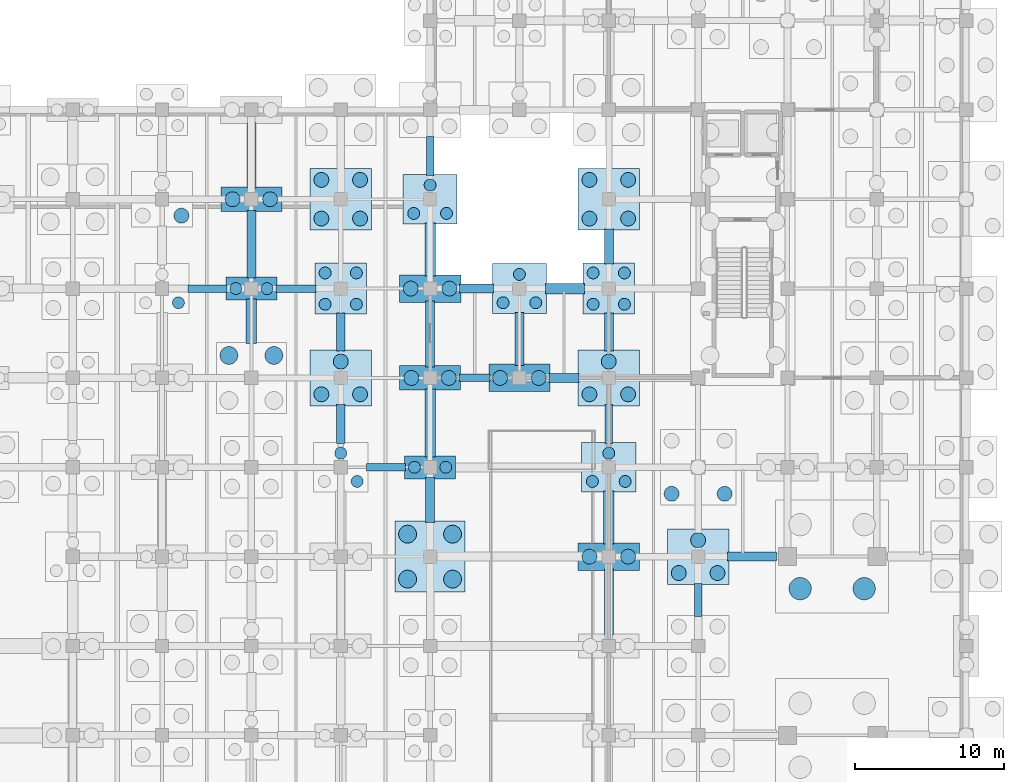
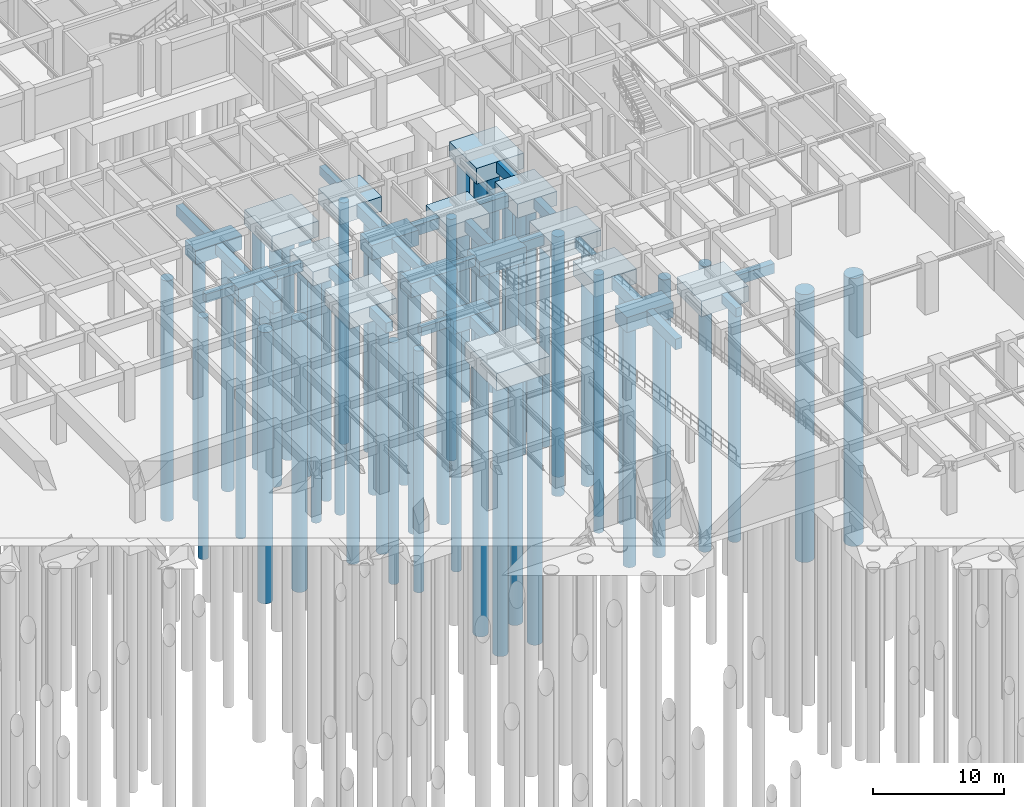
# One storey, part 20 of 54: 62 piles, 43 footings.
"""IFC4 building model written with IfcOpenShell, lengths in metres."""

import ifcopenshell
import ifcopenshell.guid

model = None  # the IFC model being written
_history = None  # IfcOwnerHistory: only IFC2X3 demands one
_inside = {}  # id of a spatial element -> (the spatial element, [elements in it])
_under = {}  # id of a project, library or spatial element -> (it, [spatial elements below it])
_declared = {}  # id of a project -> (the project, [libraries it declares])
_typed = {}  # id of a type object -> (the type object, [elements of that type])
_made_of = {}  # id of a material, layer set ... -> (it, [elements and type objects made of it])


def new_model(schema):
    """Start an empty IFC model of exactly this schema.

    Asked for "IFC4X3", IfcOpenShell would pick the latest addendum, in which some entities
    have other attributes; the version numbers below select the first issue.
    IFC2X3 requires an IfcOwnerHistory on every rooted entity: one is made here for all.
    """
    global model, _history
    if schema == "IFC4X3":
        model = ifcopenshell.file(schema_version=(4, 3, 0, 0))
    else:
        model = ifcopenshell.file(schema=schema)
    _inside.clear()
    _under.clear()
    _declared.clear()
    _typed.clear()
    _made_of.clear()
    _history = None
    if model.schema == "IFC2X3":
        org = make("IfcOrganization", Name="unknown")
        user = make(
            "IfcPersonAndOrganization",
            ThePerson=make("IfcPerson", FamilyName="unknown"),
            TheOrganization=org,
        )
        app = make(
            "IfcApplication",
            ApplicationDeveloper=org,
            Version="unknown",
            ApplicationFullName="unknown",
            ApplicationIdentifier="unknown",
        )
        _history = make(
            "IfcOwnerHistory",
            OwningUser=user,
            OwningApplication=app,
            ChangeAction="ADDED",
            CreationDate=0,
        )
    return model


def make(cls, **values):
    """One entity of the class cls with the attributes given. An attribute that is None is left unset."""
    return model.create_entity(
        cls, **{name: value for name, value in values.items() if value is not None}
    )


def rooted(cls, **values):
    """An entity with a GlobalId (a new one), such as an element, a storey or a relation."""
    return make(cls, GlobalId=ifcopenshell.guid.new(), OwnerHistory=_history, **values)


def si_unit(unit_type, name, prefix=None):
    """IfcSIUnit, for example si_unit("LENGTHUNIT", "METRE", prefix="MILLI")."""
    return make("IfcSIUnit", UnitType=unit_type, Prefix=prefix, Name=name)


def assignment(units):
    """IfcUnitAssignment: the units of a project."""
    return None if units is None else make("IfcUnitAssignment", Units=units)


def point(xyz):
    """IfcCartesianPoint."""
    return None if xyz is None else make("IfcCartesianPoint", Coordinates=xyz)


def direction(xyz):
    """IfcDirection."""
    return None if xyz is None else make("IfcDirection", DirectionRatios=xyz)


def frame(location, z_axis=None, x_axis=None):
    """IfcAxis2Placement3D, a coordinate frame: its origin and axes. An axis left out is left unset."""
    return make(
        "IfcAxis2Placement3D",
        Location=point(location),
        Axis=direction(z_axis),
        RefDirection=direction(x_axis),
    )


def frame_2d(location, x_axis=None):
    """IfcAxis2Placement2D, a coordinate frame in the plane: its origin and x axis."""
    return make(
        "IfcAxis2Placement2D", Location=point(location), RefDirection=direction(x_axis)
    )


def origin():
    """The frame at (0, 0, 0) with its axes left unset."""
    return frame((0.0, 0.0, 0.0))


def origin_2d():
    """The frame at (0, 0) in the plane with its x axis left unset."""
    return frame_2d((0.0, 0.0))


def place(relative_to, where):
    """IfcLocalPlacement: puts the frame where relative to a parent placement (None: the world)."""
    return make(
        "IfcLocalPlacement", PlacementRelTo=relative_to, RelativePlacement=where
    )


def context(
    kind, dimensions, precision=None, world=None, true_north=None, identifier=None
):
    """IfcGeometricRepresentationContext, for example the 3D "Model" context."""
    return make(
        "IfcGeometricRepresentationContext",
        ContextIdentifier=identifier,
        ContextType=kind,
        CoordinateSpaceDimension=dimensions,
        Precision=precision,
        WorldCoordinateSystem=world,
        TrueNorth=true_north,
    )


def subcontext(parent, identifier, kind, view, scale=None):
    """IfcGeometricRepresentationSubContext, for example "Body" below "Model"."""
    return make(
        "IfcGeometricRepresentationSubContext",
        ContextIdentifier=identifier,
        ContextType=kind,
        ParentContext=parent,
        TargetScale=scale,
        TargetView=view,
    )


def project(units=None, contexts=None):
    """IfcProject with its units and contexts."""
    return rooted(
        "IfcProject",
        Name="project",
        RepresentationContexts=contexts,
        UnitsInContext=assignment(units),
    )


def spatial(cls, under=None, at=None, **own):
    """A site, building, storey or space (cls), placed at a placement, below another one or the project."""
    s = rooted(cls, ObjectPlacement=at, **own)
    if under is not None:
        _under.setdefault(under.id(), (under, []))[1].append(s)
    return s


def profile(cls, at=None, kind="AREA", **sizes):
    """A parametric profile (cls). Its sizes go by their IFC names, for example OverallWidth=200.0."""
    return make(cls, ProfileType=kind, Position=at, **sizes)


def rectangle(**sizes):
    """IfcRectangleProfileDef."""
    return profile("IfcRectangleProfileDef", **sizes)


def circle(**sizes):
    """IfcCircleProfileDef."""
    return profile("IfcCircleProfileDef", **sizes)


def extrude(swept, where, along, depth):
    """IfcExtrudedAreaSolid: the profile swept, set in the frame where, extruded along a direction by depth."""
    return make(
        "IfcExtrudedAreaSolid",
        SweptArea=swept,
        Position=where,
        ExtrudedDirection=direction(along),
        Depth=depth,
    )


def shape(context_of_items, identifier, shape_type, items):
    """IfcShapeRepresentation: the items that make up one representation, for example the "Body"."""
    return make(
        "IfcShapeRepresentation",
        ContextOfItems=context_of_items,
        RepresentationIdentifier=identifier,
        RepresentationType=shape_type,
        Items=items,
    )


def material(Name=None, Category=None):
    """IfcMaterial."""
    return make("IfcMaterial", Name=Name, Category=Category)


def material_profile(
    of_material, cross_section, Name=None, Category=None, Priority=None
):
    """IfcMaterialProfile: a cross section and its material."""
    return make(
        "IfcMaterialProfile",
        Name=Name,
        Material=of_material,
        Profile=cross_section,
        Priority=Priority,
        Category=Category,
    )


def profile_set(profiles, Name=None, composite=None):
    """IfcMaterialProfileSet."""
    return make(
        "IfcMaterialProfileSet",
        Name=Name,
        MaterialProfiles=profiles,
        CompositeProfile=composite,
    )


def made_of(thing, what):
    """Note that an element or type object is made of a material, layer set ...; save() writes the relation."""
    if what is not None:
        _made_of.setdefault(what.id(), (what, []))[1].append(thing)
    return thing


def type_object(cls, material=None, **own):
    """A type object (cls), such as IfcWallType, which elements share."""
    return made_of(rooted(cls, **own), material)


def element(
    cls,
    number,
    at=None,
    inside=None,
    cuts=None,
    type_object=None,
    material=None,
    context=None,
    identifier="Body",
    shape_type=None,
    held_by="IfcProductDefinitionShape",
    body=None,
    shapes=None,
    **own,
):
    """One element of the class cls, such as IfcWall. Its Tag is "e" and its number.

    at: its placement. inside: the storey or other place that contains it. cuts: it is an
    opening in that element (IfcRelVoidsElement). A single representation is given by context,
    identifier, shape_type and body (its items); several are given by shapes. held_by: the class
    of the entity that holds the representations. save() writes the other relations.
    """
    e = rooted(cls, Tag="e%d" % number, ObjectPlacement=at, **own)
    if body is not None:
        shapes = [shape(context, identifier, shape_type, body)]
    if shapes is not None:
        e.Representation = make(held_by, Representations=shapes)
    if inside is not None:
        _inside.setdefault(inside.id(), (inside, []))[1].append(e)
    if cuts is not None:
        rooted(
            "IfcRelVoidsElement", RelatingBuildingElement=cuts, RelatedOpeningElement=e
        )
    if type_object is not None:
        _typed.setdefault(type_object.id(), (type_object, []))[1].append(e)
    return made_of(e, material)


def aggregate(whole, parts):
    """IfcRelAggregates: a whole, such as a stair, and the parts it consists of."""
    return rooted("IfcRelAggregates", RelatingObject=whole, RelatedObjects=parts)


def save(model, path):
    """Write the relations noted so far, then the file.

    IfcRelAggregates (storeys below a building ...), IfcRelContainedInSpatialStructure (elements
    in a storey), IfcRelDefinesByType, IfcRelAssociatesMaterial and IfcRelDeclares: one each for
    every whole, place, type object, material and project.
    """
    for whole, parts in _under.values():
        aggregate(whole, parts)
    for where, things in _inside.values():
        rooted(
            "IfcRelContainedInSpatialStructure",
            RelatedElements=things,
            RelatingStructure=where,
        )
    for kind, things in _typed.values():
        rooted("IfcRelDefinesByType", RelatedObjects=things, RelatingType=kind)
    for what, things in _made_of.values():
        rooted("IfcRelAssociatesMaterial", RelatedObjects=things, RelatingMaterial=what)
    for by, libraries in _declared.values():
        rooted("IfcRelDeclares", RelatingContext=by, RelatedDefinitions=libraries)
    model.write(path)


model = new_model("IFC4")

# Units and contexts
model_context = context("Model", 3, precision=1e-05, world=origin(), true_north=direction((0.0, 1.0)))
body_context = subcontext(model_context, "Body", "Model", "MODEL_VIEW")
ifc_project = project(units=[si_unit("LENGTHUNIT", "METRE"), si_unit("AREAUNIT", "SQUARE_METRE"), si_unit("VOLUMEUNIT", "CUBIC_METRE"), si_unit("PLANEANGLEUNIT", "RADIAN"), si_unit("MASSUNIT", "GRAM", prefix="KILO"), si_unit("THERMODYNAMICTEMPERATUREUNIT", "KELVIN"), si_unit("POWERUNIT", "WATT")], contexts=[model_context])

# Site, building, storey
site_placement = place(None, origin())
site = spatial("IfcSite", under=ifc_project, at=site_placement, CompositionType="ELEMENT")
building_placement = place(site_placement, origin())
building = spatial("IfcBuilding", under=site, at=building_placement, Name="Phaisarnlok Congress Hotel", CompositionType="ELEMENT")
storey_placement = place(building_placement, frame((0.0, 0.0, -4.800048828125)))
storey = spatial("IfcBuildingStorey", under=building, at=storey_placement, Name="B01", CompositionType="ELEMENT", Elevation=-4.800048828125)

# Footings
ifc_material_1 = material(Name="Concrete C40/50", Category="concrete")
footing_type_1 = type_object("IfcFootingType", Name="CAP-2P-A", PredefinedType="PILE_CAP", material=ifc_material_1)
for number, where, z_axis, x_axis, name in (
    (1, (132.0, 84.0, -1.69970703125), (0.0, 0.0, 1.0), (1.0, 0.0, 0.0), "Pile cap PC-01 at (132,84)"),
    (2, (144.0, 72.0, -1.69970703125), (0.0, 0.0, 1.0), (1.0, 0.0, 0.0), "Pile cap PC-01 at (144,72)"),
):
    element("IfcFooting", number, at=place(storey_placement, frame(where, z_axis=z_axis, x_axis=x_axis)), inside=storey, type_object=footing_type_1, Name=name, PredefinedType="PILE_CAP", context=body_context, shape_type="SweptSolid", body=[
        extrude(rectangle(XDim=3.43994140625, YDim=1.5400390625, at=origin_2d()), origin(), (0.0, 0.0, 1.0), 1.199951171875),
    ])
footing_type_2 = type_object("IfcFootingType", Name="CAP-2P-B", PredefinedType="PILE_CAP", material=ifc_material_1)
for number, where, z_axis, x_axis, name in (
    (3, (132.0, 90.0, -1.7998046875), (0.0, 0.0, 1.0), (1.0, 0.0, 0.0), "Pile cap PC-02 at (132,90)"),
    (4, (144.0, 78.0, -1.7998046875), (0.0, 0.0, 1.0), (1.0, 0.0, 0.0), "Pile cap PC-02 at (144,78)"),
):
    element("IfcFooting", number, at=place(storey_placement, frame(where, z_axis=z_axis, x_axis=x_axis)), inside=storey, type_object=footing_type_2, Name=name, PredefinedType="PILE_CAP", context=body_context, shape_type="SweptSolid", body=[
        extrude(rectangle(XDim=4.080078125, YDim=1.639892578125, at=origin_2d()), origin(), (0.0, 0.0, 1.0), 1.300048828125),
    ])
footing_type_3 = type_object("IfcFootingType", Name="CAP-2P-C", PredefinedType="PILE_CAP", material=ifc_material_1)
for number, where, z_axis, x_axis, name in (
    (5, (144.0, 84.0, -1.89990234375), (0.0, 0.0, 1.0), (1.0, 0.0, 0.0), "Pile cap PC-03 at (144,84)"),
    (6, (150.0, 78.0, -1.89990234375), (0.0, 0.0, 1.0), (1.0, 0.0, 0.0), "Pile cap PC-03 at (150,78)"),
    (7, (156.0, 66.0, -1.89990234375), (0.0, 0.0, 1.0), (1.0, 0.0, 0.0), "Pile cap PC-03 at (156,66)"),
):
    element("IfcFooting", number, at=place(storey_placement, frame(where, z_axis=z_axis, x_axis=x_axis)), inside=storey, type_object=footing_type_3, Name=name, PredefinedType="PILE_CAP", context=body_context, shape_type="SweptSolid", body=[
        extrude(rectangle(XDim=4.1201171875, YDim=1.840087890625, at=origin_2d()), origin(), (0.0, 0.0, 1.0), 1.39990234375),
    ])
footing_type_4 = type_object("IfcFootingType", Name="CAP-3P-A", PredefinedType="PILE_CAP", material=ifc_material_1)
for number, where, z_axis, x_axis, name in (
    (8, (144.0, 90.0, -1.85009765625), (0.0, 0.0, 1.0), (1.0, 0.0, 0.0), "Pile cap PC-04 at (144,90)"),
    (9, (150.0, 84.0, -1.85009765625), (0.0, 0.0, 1.0), (1.0, 0.0, 0.0), "Pile cap PC-04 at (150,84)"),
    (10, (156.0, 72.0, -1.85009765625), (0.0, 0.0, 1.0), (1.0, 0.0, 0.0), "Pile cap PC-04 at (156,72)"),
):
    element("IfcFooting", number, at=place(storey_placement, frame(where, z_axis=z_axis, x_axis=x_axis)), inside=storey, type_object=footing_type_4, Name=name, PredefinedType="PILE_CAP", context=body_context, shape_type="SweptSolid", body=[
        extrude(rectangle(XDim=3.639892578125, YDim=3.340087890625, at=origin_2d()), origin(), (0.0, 0.0, 1.0), 1.35009765625),
    ])
footing_type_5 = type_object("IfcFootingType", Name="CAP-3P-B", PredefinedType="PILE_CAP", material=ifc_material_1)
for number, where, z_axis, x_axis, name in (
    (11, (138.0, 78.0, -1.94970703125), (0.0, 0.0, 1.0), (1.0, 0.0, 0.0), "Pile cap PC-05 at (138,78)"),
    (12, (156.0, 78.0, -1.94970703125), (0.0, 0.0, 1.0), (1.0, 0.0, 0.0), "Pile cap PC-05 at (156,78)"),
    (13, (162.0, 66.0, -1.94970703125), (0.0, 0.0, 1.0), (1.0, 0.0, 0.0), "Pile cap PC-05 at (162,66)"),
):
    element("IfcFooting", number, at=place(storey_placement, frame(where, z_axis=z_axis, x_axis=x_axis)), inside=storey, type_object=footing_type_5, Name=name, PredefinedType="PILE_CAP", context=body_context, shape_type="SweptSolid", body=[
        extrude(rectangle(XDim=4.1201171875, YDim=3.739990234375, at=origin_2d()), origin(), (0.0, 0.0, 1.0), 1.449951171875),
    ])
footing_type_6 = type_object("IfcFootingType", Name="CAP-4P-A", PredefinedType="PILE_CAP", material=ifc_material_1)
for number, where, z_axis, x_axis, name in (
    (14, (138.0, 84.0, -1.7998046875), (0.0, 0.0, 1.0), (1.0, 0.0, 0.0), "Pile cap PC-06 at (138,84)"),
    (15, (156.0, 84.0, -1.7998046875), (0.0, 0.0, 1.0), (1.0, 0.0, 0.0), "Pile cap PC-06 at (156,84)"),
):
    element("IfcFooting", number, at=place(storey_placement, frame(where, z_axis=z_axis, x_axis=x_axis)), inside=storey, type_object=footing_type_6, Name=name, PredefinedType="PILE_CAP", context=body_context, shape_type="SweptSolid", body=[
        extrude(rectangle(XDim=3.43994140625, YDim=3.43994140625, at=origin_2d()), origin(), (0.0, 0.0, 1.0), 1.300048828125),
    ])
footing_type_7 = type_object("IfcFootingType", Name="CAP-4P-B", PredefinedType="PILE_CAP", material=ifc_material_1)
for number, where, z_axis, x_axis, name in (
    (16, (138.0, 90.0, -1.94970703125), (0.0, 0.0, 1.0), (1.0, 0.0, 0.0), "Pile cap PC-07 at (138,90)"),
    (17, (156.0, 90.0, -1.94970703125), (0.0, 0.0, 1.0), (1.0, 0.0, 0.0), "Pile cap PC-07 at (156,90)"),
):
    element("IfcFooting", number, at=place(storey_placement, frame(where, z_axis=z_axis, x_axis=x_axis)), inside=storey, type_object=footing_type_7, Name=name, PredefinedType="PILE_CAP", context=body_context, shape_type="SweptSolid", body=[
        extrude(rectangle(XDim=4.1201171875, YDim=4.1201171875, at=origin_2d()), origin(), (0.0, 0.0, 1.0), 1.449951171875),
    ])
footing_type_8 = type_object("IfcFootingType", Name="CAP-4P-C", PredefinedType="PILE_CAP", material=ifc_material_1)
footing_1_placement = place(storey_placement, frame((144.0, 66.0, -2.10009765625), z_axis=(0.0, 0.0, 1.0), x_axis=(1.0, 0.0, 0.0)))
element("IfcFooting", 18, at=footing_1_placement, inside=storey, type_object=footing_type_8, Name="Pile cap PC-08 at (144,66)", PredefinedType="PILE_CAP", context=body_context, shape_type="SweptSolid", body=[
    extrude(rectangle(XDim=4.719970703125, YDim=4.760009765625, at=origin_2d()), origin(), (0.0, 0.0, 1.0), 1.60009765625),
])
ifc_material_profile_1 = material_profile(ifc_material_1, rectangle(XDim=0.5, YDim=0.800048828125, at=origin_2d()), Name="FB-500x800")
ifc_profile_set_1 = profile_set([ifc_material_profile_1], Name="Concrete C40/50")
footing_type_9 = type_object("IfcFootingType", Name="FB-500x800", PredefinedType="FOOTING_BEAM", material=ifc_profile_set_1)
footing_2_placement = place(storey_placement, frame((127.7451171875, 84.0, -0.89990234375), z_axis=(1.0, 0.0, 0.0), x_axis=(0.0, 1.0, 0.0)))
element("IfcFooting", 19, at=footing_2_placement, inside=storey, type_object=footing_type_9, Name="Ground tie beam FB-01", PredefinedType="FOOTING_BEAM", context=body_context, shape_type="SweptSolid", body=[
    extrude(rectangle(XDim=0.5, YDim=0.800048828125, at=origin_2d()), origin(), (0.0, 0.0, 1.0), 2.60986328125),
])
footing_3_placement = place(storey_placement, frame((133.64501953125, 84.0, -0.89990234375), z_axis=(1.0, 0.0, 0.0), x_axis=(0.0, 1.0, 0.0)))
element("IfcFooting", 20, at=footing_3_placement, inside=storey, type_object=footing_type_9, Name="Ground tie beam FB-01", PredefinedType="FOOTING_BEAM", context=body_context, shape_type="SweptSolid", body=[
    extrude(rectangle(XDim=0.5, YDim=0.800048828125, at=origin_2d()), origin(), (0.0, 0.0, 1.0), 2.7099609375),
])
footing_4_placement = place(storey_placement, frame((139.7451171875, 72.0, -0.89990234375), z_axis=(1.0, 0.0, 0.0), x_axis=(0.0, 1.0, 0.0)))
element("IfcFooting", 21, at=footing_4_placement, inside=storey, type_object=footing_type_9, Name="Ground tie beam FB-01", PredefinedType="FOOTING_BEAM", context=body_context, shape_type="SweptSolid", body=[
    extrude(rectangle(XDim=0.5, YDim=0.800048828125, at=origin_2d()), origin(), (0.0, 0.0, 1.0), 2.60986328125),
])
footing_5_placement = place(storey_placement, frame((145.965087890625, 78.0, -0.89990234375), z_axis=(1.0, 0.0, 0.0), x_axis=(0.0, 1.0, 0.0)))
element("IfcFooting", 22, at=footing_5_placement, inside=storey, type_object=footing_type_9, Name="Ground tie beam FB-01", PredefinedType="FOOTING_BEAM", context=body_context, shape_type="SweptSolid", body=[
    extrude(rectangle(XDim=0.5, YDim=0.800048828125, at=origin_2d()), origin(), (0.0, 0.0, 1.0), 2.0498046875),
])
for number, where, z_axis, x_axis, name in (
    (23, (144.0, 91.594970703125, -0.89990234375), (0.0, 1.0, 0.0), (-1.0, 0.0, 0.0), "Ground tie beam FB-01"),
    (24, (156.0, 73.594970703125, -0.89990234375), (0.0, 1.0, 0.0), (-1.0, 0.0, 0.0), "Ground tie beam FB-01"),
):
    element("IfcFooting", number, at=place(storey_placement, frame(where, z_axis=z_axis, x_axis=x_axis)), inside=storey, type_object=footing_type_9, Name=name, PredefinedType="FOOTING_BEAM", context=body_context, shape_type="SweptSolid", body=[
        extrude(rectangle(XDim=0.5, YDim=0.800048828125, at=origin_2d()), origin(), (0.0, 0.0, 1.0), 2.610107421875),
    ])
footing_6_placement = place(storey_placement, frame((162.0, 61.985107421875, -0.89990234375), z_axis=(0.0, 1.0, 0.0), x_axis=(-1.0, 0.0, 0.0)))
element("IfcFooting", 25, at=footing_6_placement, inside=storey, type_object=footing_type_9, Name="Ground tie beam FB-01", PredefinedType="FOOTING_BEAM", context=body_context, shape_type="SweptSolid", body=[
    extrude(rectangle(XDim=0.5, YDim=0.800048828125, at=origin_2d()), origin(), (0.0, 0.0, 1.0), 2.219970703125),
])
ifc_material_profile_2 = material_profile(ifc_material_1, rectangle(XDim=0.60009765625, YDim=1.0, at=origin_2d()), Name="FB-600x1000")
ifc_profile_set_2 = profile_set([ifc_material_profile_2], Name="Concrete C40/50")
footing_type_10 = type_object("IfcFootingType", Name="FB-600x1000", PredefinedType="FOOTING_BEAM", material=ifc_profile_set_2)
footing_7_placement = place(storey_placement, frame((132.0, 90.7451171875, -1.0), z_axis=(0.0, 1.0, 0.0), x_axis=(-1.0, 0.0, 0.0)))
element("IfcFooting", 26, at=footing_7_placement, inside=storey, type_object=footing_type_10, Name="Ground tie beam FB-03", PredefinedType="FOOTING_BEAM", context=body_context, shape_type="SweptSolid", body=[
    extrude(rectangle(XDim=0.60009765625, YDim=1.0, at=origin_2d()), origin(), (0.0, 0.0, 1.0), 4.409912109375),
])
footing_8_placement = place(storey_placement, frame((138.0, 79.794921875, -1.0), z_axis=(0.0, 1.0, 0.0), x_axis=(-1.0, 0.0, 0.0)))
element("IfcFooting", 27, at=footing_8_placement, inside=storey, type_object=footing_type_10, Name="Ground tie beam FB-03", PredefinedType="FOOTING_BEAM", context=body_context, shape_type="SweptSolid", body=[
    extrude(rectangle(XDim=0.60009765625, YDim=1.0, at=origin_2d()), origin(), (0.0, 0.0, 1.0), 2.56005859375),
])
footing_9_placement = place(storey_placement, frame((144.0, 68.304931640625, -1.0), z_axis=(0.0, 1.0, 0.0), x_axis=(-1.0, 0.0, 0.0)))
element("IfcFooting", 28, at=footing_9_placement, inside=storey, type_object=footing_type_10, Name="Ground tie beam FB-03", PredefinedType="FOOTING_BEAM", context=body_context, shape_type="SweptSolid", body=[
    extrude(rectangle(XDim=0.60009765625, YDim=1.0, at=origin_2d()), origin(), (0.0, 0.0, 1.0), 3.0),
])
footing_10_placement = place(storey_placement, frame((145.985107421875, 84.0, -1.0), z_axis=(1.0, 0.0, 0.0), x_axis=(0.0, 1.0, 0.0)))
element("IfcFooting", 29, at=footing_10_placement, inside=storey, type_object=footing_type_10, Name="Ground tie beam FB-03", PredefinedType="FOOTING_BEAM", context=body_context, shape_type="SweptSolid", body=[
    extrude(rectangle(XDim=0.60009765625, YDim=1.0, at=origin_2d()), origin(), (0.0, 0.0, 1.0), 2.269775390625),
])
footing_11_placement = place(storey_placement, frame((150.0, 78.844970703125, -1.0), z_axis=(0.0, 1.0, 0.0), x_axis=(-1.0, 0.0, 0.0)))
element("IfcFooting", 30, at=footing_11_placement, inside=storey, type_object=footing_type_10, Name="Ground tie beam FB-03", PredefinedType="FOOTING_BEAM", context=body_context, shape_type="SweptSolid", body=[
    extrude(rectangle(XDim=0.60009765625, YDim=1.0, at=origin_2d()), origin(), (0.0, 0.0, 1.0), 3.56005859375),
])
footing_12_placement = place(storey_placement, frame((156.0, 60.7451171875, -1.0), z_axis=(0.0, 1.0, 0.0), x_axis=(-1.0, 0.0, 0.0)))
element("IfcFooting", 31, at=footing_12_placement, inside=storey, type_object=footing_type_10, Name="Ground tie beam FB-03", PredefinedType="FOOTING_BEAM", context=body_context, shape_type="SweptSolid", body=[
    extrude(rectangle(XDim=0.60009765625, YDim=1.0, at=origin_2d()), origin(), (0.0, 0.0, 1.0), 4.409912109375),
])
footing_13_placement = place(storey_placement, frame((156.0, 85.64501953125, -1.0), z_axis=(0.0, 1.0, 0.0), x_axis=(-1.0, 0.0, 0.0)))
element("IfcFooting", 32, at=footing_13_placement, inside=storey, type_object=footing_type_10, Name="Ground tie beam FB-03", PredefinedType="FOOTING_BEAM", context=body_context, shape_type="SweptSolid", body=[
    extrude(rectangle(XDim=0.60009765625, YDim=1.0, at=origin_2d()), origin(), (0.0, 0.0, 1.0), 2.369873046875),
])
ifc_material_profile_3 = material_profile(ifc_material_1, rectangle(XDim=0.60009765625, YDim=0.89990234375, at=origin_2d()), Name="FB-600x900")
ifc_profile_set_3 = profile_set([ifc_material_profile_3], Name="Concrete C40/50")
footing_type_11 = type_object("IfcFootingType", Name="FB-600x900", PredefinedType="FOOTING_BEAM", material=ifc_profile_set_3)
footing_14_placement = place(storey_placement, frame((132.0, 84.695068359375, -0.949951171875), z_axis=(0.0, 1.0, 0.0), x_axis=(-1.0, 0.0, 0.0)))
element("IfcFooting", 33, at=footing_14_placement, inside=storey, type_object=footing_type_11, Name="Ground tie beam FB-02", PredefinedType="FOOTING_BEAM", context=body_context, shape_type="SweptSolid", body=[
    extrude(rectangle(XDim=0.60009765625, YDim=0.89990234375, at=origin_2d()), origin(), (0.0, 0.0, 1.0), 4.559814453125),
])
footing_15_placement = place(storey_placement, frame((138.0, 73.594970703125, -0.949951171875), z_axis=(0.0, 1.0, 0.0), x_axis=(-1.0, 0.0, 0.0)))
element("IfcFooting", 34, at=footing_15_placement, inside=storey, type_object=footing_type_11, Name="Ground tie beam FB-02", PredefinedType="FOOTING_BEAM", context=body_context, shape_type="SweptSolid", body=[
    extrude(rectangle(XDim=0.60009765625, YDim=0.89990234375, at=origin_2d()), origin(), (0.0, 0.0, 1.0), 2.610107421875),
])
footing_16_placement = place(storey_placement, frame((144.0, 78.7451171875, -0.949951171875), z_axis=(0.0, 1.0, 0.0), x_axis=(-1.0, 0.0, 0.0)))
element("IfcFooting", 35, at=footing_16_placement, inside=storey, type_object=footing_type_11, Name="Ground tie beam FB-02", PredefinedType="FOOTING_BEAM", context=body_context, shape_type="SweptSolid", body=[
    extrude(rectangle(XDim=0.60009765625, YDim=0.89990234375, at=origin_2d()), origin(), (0.0, 0.0, 1.0), 4.409912109375),
])
footing_17_placement = place(storey_placement, frame((151.985107421875, 78.0, -0.949951171875), z_axis=(1.0, 0.0, 0.0), x_axis=(0.0, 1.0, 0.0)))
element("IfcFooting", 36, at=footing_17_placement, inside=storey, type_object=footing_type_11, Name="Ground tie beam FB-02", PredefinedType="FOOTING_BEAM", context=body_context, shape_type="SweptSolid", body=[
    extrude(rectangle(XDim=0.60009765625, YDim=0.89990234375, at=origin_2d()), origin(), (0.0, 0.0, 1.0), 2.02978515625),
])
footing_18_placement = place(storey_placement, frame((156.0, 79.794921875, -0.949951171875), z_axis=(0.0, 1.0, 0.0), x_axis=(-1.0, 0.0, 0.0)))
element("IfcFooting", 37, at=footing_18_placement, inside=storey, type_object=footing_type_11, Name="Ground tie beam FB-02", PredefinedType="FOOTING_BEAM", context=body_context, shape_type="SweptSolid", body=[
    extrude(rectangle(XDim=0.60009765625, YDim=0.89990234375, at=origin_2d()), origin(), (0.0, 0.0, 1.0), 2.56005859375),
])
footing_19_placement = place(storey_placement, frame((163.985107421875, 66.0, -0.949951171875), z_axis=(1.0, 0.0, 0.0), x_axis=(0.0, 1.0, 0.0)))
element("IfcFooting", 38, at=footing_19_placement, inside=storey, type_object=footing_type_11, Name="Ground tie beam FB-02", PredefinedType="FOOTING_BEAM", context=body_context, shape_type="SweptSolid", body=[
    extrude(rectangle(XDim=0.60009765625, YDim=0.89990234375, at=origin_2d()), origin(), (0.0, 0.0, 1.0), 3.289794921875),
])
ifc_material_profile_4 = material_profile(ifc_material_1, rectangle(XDim=0.699951171875, YDim=1.10009765625, at=origin_2d()), Name="FB-700x1100")
ifc_profile_set_4 = profile_set([ifc_material_profile_4], Name="Concrete C40/50")
footing_type_12 = type_object("IfcFootingType", Name="FB-700x1100", PredefinedType="FOOTING_BEAM", material=ifc_profile_set_4)
footing_20_placement = place(storey_placement, frame((132.0, 80.304931640625, -1.050048828125), z_axis=(0.0, 1.0, 0.0), x_axis=(-1.0, 0.0, 0.0)))
element("IfcFooting", 39, at=footing_20_placement, inside=storey, type_object=footing_type_12, Name="Ground tie beam FB-04", PredefinedType="FOOTING_BEAM", context=body_context, shape_type="SweptSolid", body=[
    extrude(rectangle(XDim=0.699951171875, YDim=1.10009765625, at=origin_2d()), origin(), (0.0, 0.0, 1.0), 3.0),
])
footing_21_placement = place(storey_placement, frame((144.0, 72.695068359375, -1.050048828125), z_axis=(0.0, 1.0, 0.0), x_axis=(-1.0, 0.0, 0.0)))
element("IfcFooting", 40, at=footing_21_placement, inside=storey, type_object=footing_type_12, Name="Ground tie beam FB-04", PredefinedType="FOOTING_BEAM", context=body_context, shape_type="SweptSolid", body=[
    extrude(rectangle(XDim=0.699951171875, YDim=1.10009765625, at=origin_2d()), origin(), (0.0, 0.0, 1.0), 4.559814453125),
])
footing_22_placement = place(storey_placement, frame((144.0, 84.844970703125, -1.050048828125), z_axis=(0.0, 1.0, 0.0), x_axis=(-1.0, 0.0, 0.0)))
element("IfcFooting", 41, at=footing_22_placement, inside=storey, type_object=footing_type_12, Name="Ground tie beam FB-04", PredefinedType="FOOTING_BEAM", context=body_context, shape_type="SweptSolid", body=[
    extrude(rectangle(XDim=0.699951171875, YDim=1.10009765625, at=origin_2d()), origin(), (0.0, 0.0, 1.0), 3.56005859375),
])
footing_23_placement = place(storey_placement, frame((151.7451171875, 84.0, -1.050048828125), z_axis=(1.0, 0.0, 0.0), x_axis=(0.0, 1.0, 0.0)))
element("IfcFooting", 42, at=footing_23_placement, inside=storey, type_object=footing_type_12, Name="Ground tie beam FB-04", PredefinedType="FOOTING_BEAM", context=body_context, shape_type="SweptSolid", body=[
    extrude(rectangle(XDim=0.699951171875, YDim=1.10009765625, at=origin_2d()), origin(), (0.0, 0.0, 1.0), 2.60986328125),
])
footing_24_placement = place(storey_placement, frame((156.0, 66.844970703125, -1.050048828125), z_axis=(0.0, 1.0, 0.0), x_axis=(-1.0, 0.0, 0.0)))
element("IfcFooting", 43, at=footing_24_placement, inside=storey, type_object=footing_type_12, Name="Ground tie beam FB-04", PredefinedType="FOOTING_BEAM", context=body_context, shape_type="SweptSolid", body=[
    extrude(rectangle(XDim=0.699951171875, YDim=1.10009765625, at=origin_2d()), origin(), (0.0, 0.0, 1.0), 3.56005859375),
])

# Piles
ifc_material_2 = material(Name="Concrete C35/45", Category="concrete")
ifc_material_profile_5 = material_profile(ifc_material_2, circle(Radius=0.5, at=origin_2d()), Name="BORED PILE D1000")
ifc_profile_set_5 = profile_set([ifc_material_profile_5], Name="Concrete C35/45")
pile_type_1 = type_object("IfcPileType", Name="PILE-D1000", PredefinedType="BORED", material=ifc_profile_set_5)
pile_1_placement = place(storey_placement, frame((127.300048828125, 88.89990234375, -1.849853515625), z_axis=(0.0, 0.0, -1.0), x_axis=(1.0, 0.0, 0.0)))
element("IfcPile", 44, at=pile_1_placement, inside=storey, type_object=pile_type_1, Name="Bored pile PL-02 (FTG-B01-126-090-2)", PredefinedType="BORED", context=body_context, shape_type="SweptSolid", body=[
    extrude(circle(Radius=0.5, at=origin_2d()), origin(), (0.0, 0.0, 1.0), 22.35009765625),
])
for number, where, z_axis, x_axis, name in (
    (45, (130.739990234375, 90.0, -1.699951171875), (0.0, 0.0, -1.0), (1.0, 0.0, 0.0), "Bored pile PL-02 (FTG-B01-132-090-1)"),
    (46, (133.260009765625, 90.0, -1.699951171875), (0.0, 0.0, -1.0), (1.0, 0.0, 0.0), "Bored pile PL-02 (FTG-B01-132-090-2)"),
):
    element("IfcPile", number, at=place(storey_placement, frame(where, z_axis=z_axis, x_axis=x_axis)), inside=storey, type_object=pile_type_1, Name=name, PredefinedType="BORED", context=body_context, shape_type="SweptSolid", body=[
        extrude(circle(Radius=0.5, at=origin_2d()), origin(), (0.0, 0.0, 1.0), 22.5),
    ])
for number, where, z_axis, x_axis, name in (
    (47, (136.699951171875, 76.89990234375, -1.849853515625), (0.0, 0.0, -1.0), (1.0, 0.0, 0.0), "Bored pile PL-02 (FTG-B01-138-078-1)"),
    (48, (139.300048828125, 76.89990234375, -1.849853515625), (0.0, 0.0, -1.0), (1.0, 0.0, 0.0), "Bored pile PL-02 (FTG-B01-138-078-2)"),
    (49, (138.0, 79.10009765625, -1.849853515625), (0.0, 0.0, -1.0), (1.0, 0.0, 0.0), "Bored pile PL-02 (FTG-B01-138-078-3)"),
    (50, (136.699951171875, 88.699951171875, -1.849853515625), (0.0, 0.0, -1.0), (1.0, 0.0, 0.0), "Bored pile PL-02 (FTG-B01-138-090-1)"),
    (51, (139.300048828125, 88.699951171875, -1.849853515625), (0.0, 0.0, -1.0), (1.0, 0.0, 0.0), "Bored pile PL-02 (FTG-B01-138-090-2)"),
    (52, (136.699951171875, 91.300048828125, -1.849853515625), (0.0, 0.0, -1.0), (1.0, 0.0, 0.0), "Bored pile PL-02 (FTG-B01-138-090-3)"),
    (53, (139.300048828125, 91.300048828125, -1.849853515625), (0.0, 0.0, -1.0), (1.0, 0.0, 0.0), "Bored pile PL-02 (FTG-B01-138-090-4)"),
):
    element("IfcPile", number, at=place(storey_placement, frame(where, z_axis=z_axis, x_axis=x_axis)), inside=storey, type_object=pile_type_1, Name=name, PredefinedType="BORED", context=body_context, shape_type="SweptSolid", body=[
        extrude(circle(Radius=0.5, at=origin_2d()), origin(), (0.0, 0.0, 1.0), 22.35009765625),
    ])
for number, where, z_axis, x_axis, name in (
    (54, (142.739990234375, 78.0, -1.699951171875), (0.0, 0.0, -1.0), (1.0, 0.0, 0.0), "Bored pile PL-02 (FTG-B01-144-078-1)"),
    (55, (145.260009765625, 78.0, -1.699951171875), (0.0, 0.0, -1.0), (1.0, 0.0, 0.0), "Bored pile PL-02 (FTG-B01-144-078-2)"),
):
    element("IfcPile", number, at=place(storey_placement, frame(where, z_axis=z_axis, x_axis=x_axis)), inside=storey, type_object=pile_type_1, Name=name, PredefinedType="BORED", context=body_context, shape_type="SweptSolid", body=[
        extrude(circle(Radius=0.5, at=origin_2d()), origin(), (0.0, 0.0, 1.0), 22.5),
    ])
for number, where, z_axis, x_axis, name in (
    (56, (142.699951171875, 84.0, -1.800048828125), (0.0, 0.0, -1.0), (1.0, 0.0, 0.0), "Bored pile PL-02 (FTG-B01-144-084-1)"),
    (57, (145.300048828125, 84.0, -1.800048828125), (0.0, 0.0, -1.0), (1.0, 0.0, 0.0), "Bored pile PL-02 (FTG-B01-144-084-2)"),
    (58, (148.699951171875, 78.0, -1.800048828125), (0.0, 0.0, -1.0), (1.0, 0.0, 0.0), "Bored pile PL-02 (FTG-B01-150-078-1)"),
    (59, (151.300048828125, 78.0, -1.800048828125), (0.0, 0.0, -1.0), (1.0, 0.0, 0.0), "Bored pile PL-02 (FTG-B01-150-078-2)"),
    (60, (154.699951171875, 66.0, -1.800048828125), (0.0, 0.0, -1.0), (1.0, 0.0, 0.0), "Bored pile PL-02 (FTG-B01-156-066-1)"),
    (61, (157.300048828125, 66.0, -1.800048828125), (0.0, 0.0, -1.0), (1.0, 0.0, 0.0), "Bored pile PL-02 (FTG-B01-156-066-2)"),
):
    element("IfcPile", number, at=place(storey_placement, frame(where, z_axis=z_axis, x_axis=x_axis)), inside=storey, type_object=pile_type_1, Name=name, PredefinedType="BORED", context=body_context, shape_type="SweptSolid", body=[
        extrude(circle(Radius=0.5, at=origin_2d()), origin(), (0.0, 0.0, 1.0), 22.39990234375),
    ])
for number, where, z_axis, x_axis, name in (
    (62, (154.699951171875, 76.89990234375, -1.849853515625), (0.0, 0.0, -1.0), (1.0, 0.0, 0.0), "Bored pile PL-02 (FTG-B01-156-078-1)"),
    (63, (157.300048828125, 76.89990234375, -1.849853515625), (0.0, 0.0, -1.0), (1.0, 0.0, 0.0), "Bored pile PL-02 (FTG-B01-156-078-2)"),
    (64, (156.0, 79.10009765625, -1.849853515625), (0.0, 0.0, -1.0), (1.0, 0.0, 0.0), "Bored pile PL-02 (FTG-B01-156-078-3)"),
    (65, (154.699951171875, 88.699951171875, -1.849853515625), (0.0, 0.0, -1.0), (1.0, 0.0, 0.0), "Bored pile PL-02 (FTG-B01-156-090-1)"),
    (66, (157.300048828125, 88.699951171875, -1.849853515625), (0.0, 0.0, -1.0), (1.0, 0.0, 0.0), "Bored pile PL-02 (FTG-B01-156-090-2)"),
    (67, (154.699951171875, 91.300048828125, -1.849853515625), (0.0, 0.0, -1.0), (1.0, 0.0, 0.0), "Bored pile PL-02 (FTG-B01-156-090-3)"),
    (68, (157.300048828125, 91.300048828125, -1.849853515625), (0.0, 0.0, -1.0), (1.0, 0.0, 0.0), "Bored pile PL-02 (FTG-B01-156-090-4)"),
    (69, (160.699951171875, 64.89990234375, -1.849853515625), (0.0, 0.0, -1.0), (1.0, 0.0, 0.0), "Bored pile PL-02 (FTG-B01-162-066-1)"),
    (70, (163.300048828125, 64.89990234375, -1.849853515625), (0.0, 0.0, -1.0), (1.0, 0.0, 0.0), "Bored pile PL-02 (FTG-B01-162-066-2)"),
    (71, (162.0, 67.10009765625, -1.849853515625), (0.0, 0.0, -1.0), (1.0, 0.0, 0.0), "Bored pile PL-02 (FTG-B01-162-066-3)"),
):
    element("IfcPile", number, at=place(storey_placement, frame(where, z_axis=z_axis, x_axis=x_axis)), inside=storey, type_object=pile_type_1, Name=name, PredefinedType="BORED", context=body_context, shape_type="SweptSolid", body=[
        extrude(circle(Radius=0.5, at=origin_2d()), origin(), (0.0, 0.0, 1.0), 22.35009765625),
    ])
for number, where, z_axis, x_axis, name in (
    (72, (160.219970703125, 70.219970703125, -1.949951171875), (0.0, 0.0, -1.0), (1.0, 0.0, 0.0), "Bored pile PL-02 (FTG-B01-162-072-1)"),
    (73, (163.780029296875, 70.219970703125, -1.949951171875), (0.0, 0.0, -1.0), (1.0, 0.0, 0.0), "Bored pile PL-02 (FTG-B01-162-072-2)"),
):
    element("IfcPile", number, at=place(storey_placement, frame(where, z_axis=z_axis, x_axis=x_axis)), inside=storey, type_object=pile_type_1, Name=name, PredefinedType="BORED", context=body_context, shape_type="SweptSolid", body=[
        extrude(circle(Radius=0.5, at=origin_2d()), origin(), (0.0, 0.0, 1.0), 22.25),
    ])
ifc_material_profile_6 = material_profile(ifc_material_2, circle(Radius=0.60009765625, at=origin_2d()), Name="BORED PILE D1200")
ifc_profile_set_6 = profile_set([ifc_material_profile_6], Name="Concrete C35/45")
pile_type_2 = type_object("IfcPileType", Name="PILE-D1200", PredefinedType="BORED", material=ifc_profile_set_6)
for number, where, z_axis, x_axis, name in (
    (74, (130.489990234375, 79.510009765625, -2.0), (0.0, 0.0, -1.0), (1.0, 0.0, 0.0), "Bored pile PL-03 (FTG-B01-132-078-3)"),
    (75, (133.510009765625, 79.510009765625, -2.0), (0.0, 0.0, -1.0), (1.0, 0.0, 0.0), "Bored pile PL-03 (FTG-B01-132-078-4)"),
    (76, (142.489990234375, 64.489990234375, -2.0), (0.0, 0.0, -1.0), (1.0, 0.0, 0.0), "Bored pile PL-03 (FTG-B01-144-066-1)"),
    (77, (145.510009765625, 64.489990234375, -2.0), (0.0, 0.0, -1.0), (1.0, 0.0, 0.0), "Bored pile PL-03 (FTG-B01-144-066-2)"),
    (78, (142.489990234375, 67.510009765625, -2.0), (0.0, 0.0, -1.0), (1.0, 0.0, 0.0), "Bored pile PL-03 (FTG-B01-144-066-3)"),
    (79, (145.510009765625, 67.510009765625, -2.0), (0.0, 0.0, -1.0), (1.0, 0.0, 0.0), "Bored pile PL-03 (FTG-B01-144-066-4)"),
):
    element("IfcPile", number, at=place(storey_placement, frame(where, z_axis=z_axis, x_axis=x_axis)), inside=storey, type_object=pile_type_2, Name=name, PredefinedType="BORED", context=body_context, shape_type="SweptSolid", body=[
        extrude(circle(Radius=0.60009765625, at=origin_2d()), origin(), (0.0, 0.0, 1.0), 25.199951171875),
    ])
ifc_material_profile_7 = material_profile(ifc_material_2, circle(Radius=0.75, at=origin_2d()), Name="BORED PILE D1500")
ifc_profile_set_7 = profile_set([ifc_material_profile_7], Name="Concrete C35/45")
pile_type_3 = type_object("IfcPileType", Name="PILE-D1500", PredefinedType="BORED", material=ifc_profile_set_7)
for number, where, z_axis, x_axis, name in (
    (80, (168.85009765625, 63.85009765625, -2.300048828125), (0.0, 0.0, -1.0), (1.0, 0.0, 0.0), "Bored pile PL-04 (FTG-B01-168-066-1)"),
    (81, (173.14990234375, 63.85009765625, -2.300048828125), (0.0, 0.0, -1.0), (1.0, 0.0, 0.0), "Bored pile PL-04 (FTG-B01-168-066-2)"),
):
    element("IfcPile", number, at=place(storey_placement, frame(where, z_axis=z_axis, x_axis=x_axis)), inside=storey, type_object=pile_type_3, Name=name, PredefinedType="BORED", context=body_context, shape_type="SweptSolid", body=[
        extrude(circle(Radius=0.75, at=origin_2d()), origin(), (0.0, 0.0, 1.0), 24.89990234375),
    ])
ifc_material_profile_8 = material_profile(ifc_material_2, circle(Radius=0.39990234375, at=origin_2d()), Name="BORED PILE D800")
ifc_profile_set_8 = profile_set([ifc_material_profile_8], Name="Concrete C35/45")
pile_type_4 = type_object("IfcPileType", Name="PILE-D800", PredefinedType="BORED", material=ifc_profile_set_8)
pile_2_placement = place(storey_placement, frame((127.10009765625, 83.050048828125, -1.75), z_axis=(0.0, 0.0, -1.0), x_axis=(1.0, 0.0, 0.0)))
element("IfcPile", 82, at=pile_2_placement, inside=storey, type_object=pile_type_4, Name="Bored pile PL-01 (FTG-B01-126-084-2)", PredefinedType="BORED", context=body_context, shape_type="SweptSolid", body=[
    extrude(circle(Radius=0.39990234375, at=origin_2d()), origin(), (0.0, 0.0, 1.0), 22.449951171875),
])
for number, where, z_axis, x_axis, name in (
    (83, (130.949951171875, 84.0, -1.599853515625), (0.0, 0.0, -1.0), (1.0, 0.0, 0.0), "Bored pile PL-01 (FTG-B01-132-084-1)"),
    (84, (133.050048828125, 84.0, -1.599853515625), (0.0, 0.0, -1.0), (1.0, 0.0, 0.0), "Bored pile PL-01 (FTG-B01-132-084-2)"),
):
    element("IfcPile", number, at=place(storey_placement, frame(where, z_axis=z_axis, x_axis=x_axis)), inside=storey, type_object=pile_type_4, Name=name, PredefinedType="BORED", context=body_context, shape_type="SweptSolid", body=[
        extrude(circle(Radius=0.39990234375, at=origin_2d()), origin(), (0.0, 0.0, 1.0), 22.60009765625),
    ])
for number, where, z_axis, x_axis, name in (
    (85, (139.10009765625, 71.050048828125, -1.75), (0.0, 0.0, -1.0), (1.0, 0.0, 0.0), "Bored pile PL-01 (FTG-B01-138-072-2)"),
    (86, (138.0, 72.949951171875, -1.75), (0.0, 0.0, -1.0), (1.0, 0.0, 0.0), "Bored pile PL-01 (FTG-B01-138-072-3)"),
):
    element("IfcPile", number, at=place(storey_placement, frame(where, z_axis=z_axis, x_axis=x_axis)), inside=storey, type_object=pile_type_4, Name=name, PredefinedType="BORED", context=body_context, shape_type="SweptSolid", body=[
        extrude(circle(Radius=0.39990234375, at=origin_2d()), origin(), (0.0, 0.0, 1.0), 22.449951171875),
    ])
for number, where, z_axis, x_axis, name in (
    (87, (136.949951171875, 82.949951171875, -1.699951171875), (0.0, 0.0, -1.0), (1.0, 0.0, 0.0), "Bored pile PL-01 (FTG-B01-138-084-1)"),
    (88, (139.050048828125, 82.949951171875, -1.699951171875), (0.0, 0.0, -1.0), (1.0, 0.0, 0.0), "Bored pile PL-01 (FTG-B01-138-084-2)"),
    (89, (136.949951171875, 85.050048828125, -1.699951171875), (0.0, 0.0, -1.0), (1.0, 0.0, 0.0), "Bored pile PL-01 (FTG-B01-138-084-3)"),
    (90, (139.050048828125, 85.050048828125, -1.699951171875), (0.0, 0.0, -1.0), (1.0, 0.0, 0.0), "Bored pile PL-01 (FTG-B01-138-084-4)"),
):
    element("IfcPile", number, at=place(storey_placement, frame(where, z_axis=z_axis, x_axis=x_axis)), inside=storey, type_object=pile_type_4, Name=name, PredefinedType="BORED", context=body_context, shape_type="SweptSolid", body=[
        extrude(circle(Radius=0.39990234375, at=origin_2d()), origin(), (0.0, 0.0, 1.0), 22.5),
    ])
for number, where, z_axis, x_axis, name in (
    (91, (142.949951171875, 72.0, -1.599853515625), (0.0, 0.0, -1.0), (1.0, 0.0, 0.0), "Bored pile PL-01 (FTG-B01-144-072-1)"),
    (92, (145.050048828125, 72.0, -1.599853515625), (0.0, 0.0, -1.0), (1.0, 0.0, 0.0), "Bored pile PL-01 (FTG-B01-144-072-2)"),
):
    element("IfcPile", number, at=place(storey_placement, frame(where, z_axis=z_axis, x_axis=x_axis)), inside=storey, type_object=pile_type_4, Name=name, PredefinedType="BORED", context=body_context, shape_type="SweptSolid", body=[
        extrude(circle(Radius=0.39990234375, at=origin_2d()), origin(), (0.0, 0.0, 1.0), 22.60009765625),
    ])
for number, where, z_axis, x_axis, name in (
    (93, (142.89990234375, 89.050048828125, -1.75), (0.0, 0.0, -1.0), (1.0, 0.0, 0.0), "Bored pile PL-01 (FTG-B01-144-090-1)"),
    (94, (145.10009765625, 89.050048828125, -1.75), (0.0, 0.0, -1.0), (1.0, 0.0, 0.0), "Bored pile PL-01 (FTG-B01-144-090-2)"),
    (95, (144.0, 90.949951171875, -1.75), (0.0, 0.0, -1.0), (1.0, 0.0, 0.0), "Bored pile PL-01 (FTG-B01-144-090-3)"),
    (96, (148.89990234375, 83.050048828125, -1.75), (0.0, 0.0, -1.0), (1.0, 0.0, 0.0), "Bored pile PL-01 (FTG-B01-150-084-1)"),
    (97, (151.10009765625, 83.050048828125, -1.75), (0.0, 0.0, -1.0), (1.0, 0.0, 0.0), "Bored pile PL-01 (FTG-B01-150-084-2)"),
    (98, (150.0, 84.949951171875, -1.75), (0.0, 0.0, -1.0), (1.0, 0.0, 0.0), "Bored pile PL-01 (FTG-B01-150-084-3)"),
    (99, (154.89990234375, 71.050048828125, -1.75), (0.0, 0.0, -1.0), (1.0, 0.0, 0.0), "Bored pile PL-01 (FTG-B01-156-072-1)"),
    (100, (157.10009765625, 71.050048828125, -1.75), (0.0, 0.0, -1.0), (1.0, 0.0, 0.0), "Bored pile PL-01 (FTG-B01-156-072-2)"),
    (101, (156.0, 72.949951171875, -1.75), (0.0, 0.0, -1.0), (1.0, 0.0, 0.0), "Bored pile PL-01 (FTG-B01-156-072-3)"),
):
    element("IfcPile", number, at=place(storey_placement, frame(where, z_axis=z_axis, x_axis=x_axis)), inside=storey, type_object=pile_type_4, Name=name, PredefinedType="BORED", context=body_context, shape_type="SweptSolid", body=[
        extrude(circle(Radius=0.39990234375, at=origin_2d()), origin(), (0.0, 0.0, 1.0), 22.449951171875),
    ])
for number, where, z_axis, x_axis, name in (
    (102, (154.949951171875, 82.949951171875, -1.699951171875), (0.0, 0.0, -1.0), (1.0, 0.0, 0.0), "Bored pile PL-01 (FTG-B01-156-084-1)"),
    (103, (157.050048828125, 82.949951171875, -1.699951171875), (0.0, 0.0, -1.0), (1.0, 0.0, 0.0), "Bored pile PL-01 (FTG-B01-156-084-2)"),
    (104, (154.949951171875, 85.050048828125, -1.699951171875), (0.0, 0.0, -1.0), (1.0, 0.0, 0.0), "Bored pile PL-01 (FTG-B01-156-084-3)"),
    (105, (157.050048828125, 85.050048828125, -1.699951171875), (0.0, 0.0, -1.0), (1.0, 0.0, 0.0), "Bored pile PL-01 (FTG-B01-156-084-4)"),
):
    element("IfcPile", number, at=place(storey_placement, frame(where, z_axis=z_axis, x_axis=x_axis)), inside=storey, type_object=pile_type_4, Name=name, PredefinedType="BORED", context=body_context, shape_type="SweptSolid", body=[
        extrude(circle(Radius=0.39990234375, at=origin_2d()), origin(), (0.0, 0.0, 1.0), 22.5),
    ])

save(model, "model.ifc")
